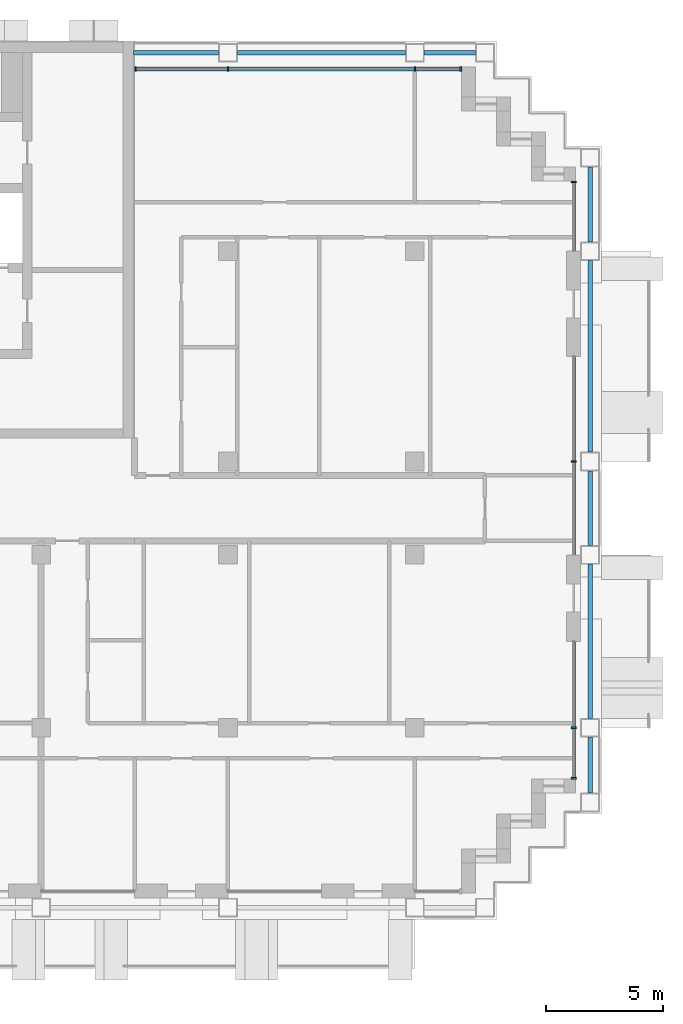
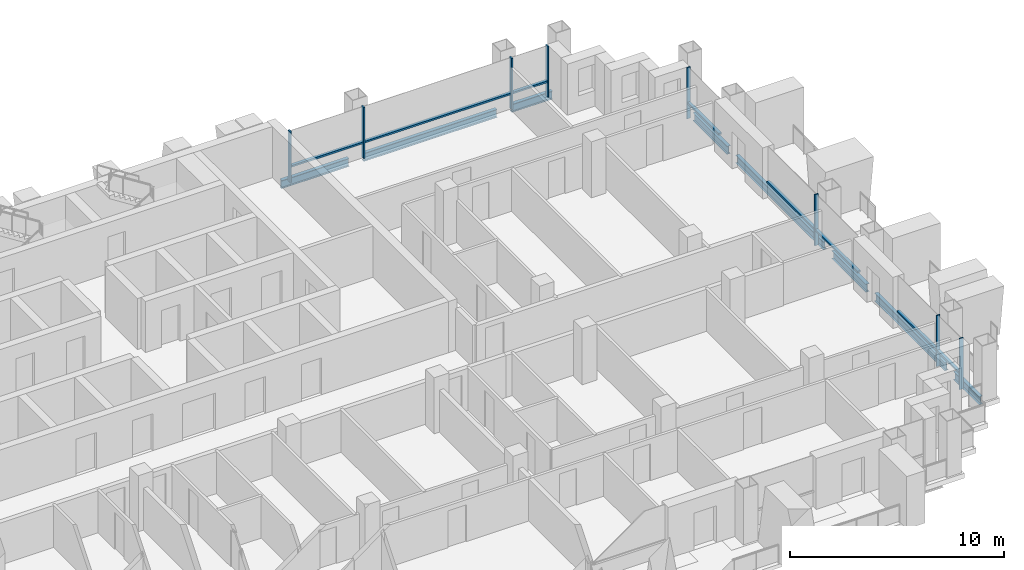
# One storey, part 5 of 16: 16 members, 8 beams, 4 elements without a shape of their own.
"""IFC4 building model written with IfcOpenShell, lengths in metres."""

from ifc_helpers import new_model, si_unit, direction, frame, origin, origin_2d, place, context, subcontext, project, spatial, rectangle, i_section, extrude, material, material_profile, profile_set, type_object, element, aggregate, save


model = new_model("IFC4")

# Units and contexts
model_context = context("Model", 3, precision=1e-05, world=origin(), true_north=direction((0.0, 1.0)))
body_context = subcontext(model_context, "Body", "Model", "MODEL_VIEW")
ifc_project = project(units=[si_unit("LENGTHUNIT", "METRE"), si_unit("AREAUNIT", "SQUARE_METRE"), si_unit("VOLUMEUNIT", "CUBIC_METRE"), si_unit("PLANEANGLEUNIT", "RADIAN"), si_unit("MASSUNIT", "GRAM", prefix="KILO")], contexts=[model_context])

# Site, building, storey
site_placement = place(None, origin())
site = spatial("IfcSite", under=ifc_project, at=site_placement, CompositionType="ELEMENT")
building_placement = place(site_placement, origin())
building = spatial("IfcBuilding", under=site, at=building_placement, Name="Vidyagriha Tower", CompositionType="ELEMENT")
storey_placement = place(building_placement, frame((0.0, 0.0, 132.60009765625)))
storey = spatial("IfcBuildingStorey", under=building, at=storey_placement, Name="L34", CompositionType="ELEMENT", Elevation=132.60009765625)

# Beams
ifc_material_1 = material(Name="Steel ASTM A992 Grade 50", Category="steel")
ifc_material_profile_1 = material_profile(ifc_material_1, i_section(OverallWidth=0.19189453125, OverallDepth=0.46240234375, WebThickness=0.010498046875, FlangeThickness=0.017578125, at=origin_2d()), Name="W18X60")
ifc_profile_set_1 = profile_set([ifc_material_profile_1], Name="Steel ASTM A992 Grade 50")
beam_type = type_object("IfcBeamType", Name="Edge beam W18X60", PredefinedType="SPANDREL", material=ifc_profile_set_1)
beam_1_placement = place(storey_placement, frame((33.5, -12.199951171875, -0.51123046875), z_axis=(0.0, 1.0, 0.0), x_axis=(-1.0, 0.0, 0.0)))
element("IfcBeam", 1, at=beam_1_placement, inside=storey, type_object=beam_type, Name="st-beam-L34-E14", PredefinedType="SPANDREL", context=body_context, shape_type="SweptSolid", body=[
    extrude(i_section(OverallWidth=0.19189453125, OverallDepth=0.46240234375, WebThickness=0.010498046875, FlangeThickness=0.017578125, at=origin_2d()), origin(), (0.0, 0.0, 1.0), 2.39990234375),
])
beam_2_placement = place(storey_placement, frame((33.5, -9.0, -0.51123046875), z_axis=(0.0, 1.0, 0.0), x_axis=(-1.0, 0.0, 0.0)))
element("IfcBeam", 2, at=beam_2_placement, inside=storey, type_object=beam_type, Name="st-beam-L34-E15", PredefinedType="SPANDREL", context=body_context, shape_type="SweptSolid", body=[
    extrude(i_section(OverallWidth=0.19189453125, OverallDepth=0.46240234375, WebThickness=0.010498046875, FlangeThickness=0.017578125, at=origin_2d()), origin(), (0.0, 0.0, 1.0), 6.60009765625),
])
beam_3_placement = place(storey_placement, frame((33.5, -1.60009765625, -0.51123046875), z_axis=(0.0, 1.0, 0.0), x_axis=(-1.0, 0.0, 0.0)))
element("IfcBeam", 3, at=beam_3_placement, inside=storey, type_object=beam_type, Name="st-beam-L34-E16", PredefinedType="SPANDREL", context=body_context, shape_type="SweptSolid", body=[
    extrude(i_section(OverallWidth=0.19189453125, OverallDepth=0.46240234375, WebThickness=0.010498046875, FlangeThickness=0.017578125, at=origin_2d()), origin(), (0.0, 0.0, 1.0), 3.2001953125),
])
beam_4_placement = place(storey_placement, frame((33.5, 2.39990234375, -0.51123046875), z_axis=(0.0, 1.0, 0.0), x_axis=(-1.0, 0.0, 0.0)))
element("IfcBeam", 4, at=beam_4_placement, inside=storey, type_object=beam_type, Name="st-beam-L34-E17", PredefinedType="SPANDREL", context=body_context, shape_type="SweptSolid", body=[
    extrude(i_section(OverallWidth=0.19189453125, OverallDepth=0.46240234375, WebThickness=0.010498046875, FlangeThickness=0.017578125, at=origin_2d()), origin(), (0.0, 0.0, 1.0), 8.2001953125),
])
beam_5_placement = place(storey_placement, frame((33.5, 11.39990234375, -0.51123046875), z_axis=(0.0, 1.0, 0.0), x_axis=(-1.0, 0.0, 0.0)))
element("IfcBeam", 5, at=beam_5_placement, inside=storey, type_object=beam_type, Name="st-beam-L34-E18", PredefinedType="SPANDREL", context=body_context, shape_type="SweptSolid", body=[
    extrude(i_section(OverallWidth=0.19189453125, OverallDepth=0.46240234375, WebThickness=0.010498046875, FlangeThickness=0.017578125, at=origin_2d()), origin(), (0.0, 0.0, 1.0), 3.2001953125),
])
beam_6_placement = place(storey_placement, frame((18.39990234375, 19.5, -0.51123046875), z_axis=(1.0, 0.0, 0.0), x_axis=(0.0, 1.0, 0.0)))
element("IfcBeam", 6, at=beam_6_placement, inside=storey, type_object=beam_type, Name="st-beam-L34-NE20", PredefinedType="SPANDREL", context=body_context, shape_type="SweptSolid", body=[
    extrude(i_section(OverallWidth=0.19189453125, OverallDepth=0.46240234375, WebThickness=0.010498046875, FlangeThickness=0.017578125, at=origin_2d()), origin(), (0.0, 0.0, 1.0), 7.2001953125),
])
beam_7_placement = place(storey_placement, frame((26.39990234375, 19.5, -0.51123046875), z_axis=(1.0, 0.0, 0.0), x_axis=(0.0, 1.0, 0.0)))
element("IfcBeam", 7, at=beam_7_placement, inside=storey, type_object=beam_type, Name="st-beam-L34-NE21", PredefinedType="SPANDREL", context=body_context, shape_type="SweptSolid", body=[
    extrude(i_section(OverallWidth=0.19189453125, OverallDepth=0.46240234375, WebThickness=0.010498046875, FlangeThickness=0.017578125, at=origin_2d()), origin(), (0.0, 0.0, 1.0), 2.2001953125),
])
beam_8_placement = place(storey_placement, frame((13.949951171875, 19.5, -0.51123046875), z_axis=(1.0, 0.0, 0.0), x_axis=(0.0, 1.0, 0.0)))
element("IfcBeam", 8, at=beam_8_placement, inside=storey, type_object=beam_type, Name="st-beam-L34-NC23", PredefinedType="SPANDREL", context=body_context, shape_type="SweptSolid", body=[
    extrude(i_section(OverallWidth=0.19189453125, OverallDepth=0.46240234375, WebThickness=0.010498046875, FlangeThickness=0.017578125, at=origin_2d()), origin(), (0.0, 0.0, 1.0), 3.650146484375),
])

# Curtain wall, members
ifc_material_2 = material(Name="Aluminium and glass curtain wall", Category="aluminium")
curtain_wall_type = type_object("IfcCurtainWallType", Name="Dwelling skin unitised curtain wall", PredefinedType="USERDEFINED", material=ifc_material_2)
curtain_wall_1_placement = place(storey_placement, origin())
curtain_wall_1 = element("IfcCurtainWall", 9, at=curtain_wall_1_placement, inside=storey, type_object=curtain_wall_type, Name="CW1 dwelling skin", ObjectType="UNITISED", PredefinedType="USERDEFINED")
ifc_material_3 = material(Name="Aluminium black anodised", Category="aluminium")
ifc_material_profile_2 = material_profile(ifc_material_3, rectangle(XDim=0.199951171875, YDim=0.070068359375, at=origin_2d()), Name="Mullion 70x200 black aluminium")
ifc_profile_set_2 = profile_set([ifc_material_profile_2], Name="Aluminium black anodised")
member_type_1 = type_object("IfcMemberType", Name="Mullion 70x200 black aluminium", PredefinedType="MULLION", material=ifc_profile_set_2)
member_1_placement = place(storey_placement, frame((27.965087890625, 18.800048828125, 0.0), z_axis=(0.0, 0.0, 1.0), x_axis=(0.0, -1.0, 0.0)))
member_1 = element("IfcMember", 10, at=member_1_placement, type_object=member_type_1, Name="CW1 mullion 1", PredefinedType="MULLION", context=body_context, shape_type="SweptSolid", body=[
    extrude(rectangle(XDim=0.199951171875, YDim=0.070068359375, at=origin_2d()), origin(), (0.0, 0.0, 1.0), 2.919921875),
])
member_2_placement = place(storey_placement, frame((26.0, 18.800048828125, 0.0), z_axis=(0.0, 0.0, 1.0), x_axis=(0.0, -1.0, 0.0)))
member_2 = element("IfcMember", 11, at=member_2_placement, type_object=member_type_1, Name="CW1 mullion 2", PredefinedType="MULLION", context=body_context, shape_type="SweptSolid", body=[
    extrude(rectangle(XDim=0.199951171875, YDim=0.070068359375, at=origin_2d()), origin(), (0.0, 0.0, 1.0), 2.919921875),
])
member_3_placement = place(storey_placement, frame((18.0, 18.800048828125, 0.0), z_axis=(0.0, 0.0, 1.0), x_axis=(0.0, -1.0, 0.0)))
member_3 = element("IfcMember", 12, at=member_3_placement, type_object=member_type_1, Name="CW1 mullion 3", PredefinedType="MULLION", context=body_context, shape_type="SweptSolid", body=[
    extrude(rectangle(XDim=0.199951171875, YDim=0.070068359375, at=origin_2d()), origin(), (0.0, 0.0, 1.0), 2.919921875),
])
member_4_placement = place(storey_placement, frame((14.034912109375, 18.800048828125, 0.0), z_axis=(0.0, 0.0, 1.0), x_axis=(0.0, -1.0, 0.0)))
member_4 = element("IfcMember", 13, at=member_4_placement, type_object=member_type_1, Name="CW1 mullion 4", PredefinedType="MULLION", context=body_context, shape_type="SweptSolid", body=[
    extrude(rectangle(XDim=0.199951171875, YDim=0.070068359375, at=origin_2d()), origin(), (0.0, 0.0, 1.0), 2.919921875),
])

curtain_wall_2_placement = place(storey_placement, origin())
curtain_wall_2 = element("IfcCurtainWall", 14, at=curtain_wall_2_placement, inside=storey, type_object=curtain_wall_type, Name="CW1 dwelling skin", ObjectType="UNITISED", PredefinedType="USERDEFINED")
member_5_placement = place(storey_placement, frame((32.800048828125, -11.56494140625, 0.0), z_axis=(0.0, 0.0, 1.0), x_axis=(-1.0, 0.0, 0.0)))
member_5 = element("IfcMember", 15, at=member_5_placement, type_object=member_type_1, Name="CW1 mullion 1", PredefinedType="MULLION", context=body_context, shape_type="SweptSolid", body=[
    extrude(rectangle(XDim=0.199951171875, YDim=0.070068359375, at=origin_2d()), origin(), (0.0, 0.0, 1.0), 2.919921875),
])
member_6_placement = place(storey_placement, frame((32.800048828125, -9.39990234375, 0.0), z_axis=(0.0, 0.0, 1.0), x_axis=(-1.0, 0.0, 0.0)))
member_6 = element("IfcMember", 16, at=member_6_placement, type_object=member_type_1, Name="CW1 mullion 2", PredefinedType="MULLION", context=body_context, shape_type="SweptSolid", body=[
    extrude(rectangle(XDim=0.199951171875, YDim=0.070068359375, at=origin_2d()), origin(), (0.0, 0.0, 1.0), 2.919921875),
])

# Curtain wall, member
curtain_wall_3_placement = place(storey_placement, origin())
curtain_wall_3 = element("IfcCurtainWall", 17, at=curtain_wall_3_placement, inside=storey, type_object=curtain_wall_type, Name="CW1 dwelling skin", ObjectType="UNITISED", PredefinedType="USERDEFINED")
member_7_placement = place(storey_placement, frame((32.800048828125, 2.0, 0.0), z_axis=(0.0, 0.0, 1.0), x_axis=(-1.0, 0.0, 0.0)))
member_7 = element("IfcMember", 18, at=member_7_placement, type_object=member_type_1, Name="CW1 mullion 2", PredefinedType="MULLION", context=body_context, shape_type="SweptSolid", body=[
    extrude(rectangle(XDim=0.199951171875, YDim=0.070068359375, at=origin_2d()), origin(), (0.0, 0.0, 1.0), 2.919921875),
])

curtain_wall_4_placement = place(storey_placement, origin())
curtain_wall_4 = element("IfcCurtainWall", 19, at=curtain_wall_4_placement, inside=storey, type_object=curtain_wall_type, Name="CW1 dwelling skin", ObjectType="UNITISED", PredefinedType="USERDEFINED")
member_8_placement = place(storey_placement, frame((32.800048828125, 13.965087890625, 0.0), z_axis=(0.0, 0.0, 1.0), x_axis=(-1.0, 0.0, 0.0)))
member_8 = element("IfcMember", 20, at=member_8_placement, type_object=member_type_1, Name="CW1 mullion 2", PredefinedType="MULLION", context=body_context, shape_type="SweptSolid", body=[
    extrude(rectangle(XDim=0.199951171875, YDim=0.070068359375, at=origin_2d()), origin(), (0.0, 0.0, 1.0), 2.919921875),
])

# Member
ifc_material_4 = material(Name="Aluminium black anodised", Category="aluminium")
ifc_material_profile_3 = material_profile(ifc_material_4, rectangle(XDim=0.159912109375, YDim=0.10009765625, at=origin_2d()), Name="Transom 100x160 black aluminium")
ifc_profile_set_3 = profile_set([ifc_material_profile_3], Name="Aluminium black anodised")
member_type_2 = type_object("IfcMemberType", Name="Transom 100x160 black aluminium", PredefinedType="USERDEFINED", material=ifc_profile_set_3)
member_9_placement = place(storey_placement, frame((27.929931640625, 18.800048828125, 0.89990234375), z_axis=(-1.0, 0.0, 0.0), x_axis=(0.0, -1.0, 0.0)))
member_9 = element("IfcMember", 21, at=member_9_placement, type_object=member_type_2, Name="CW1 transom 1.1", ObjectType="TRANSOM", PredefinedType="USERDEFINED", context=body_context, shape_type="SweptSolid", body=[
    extrude(rectangle(XDim=0.159912109375, YDim=0.10009765625, at=origin_2d()), origin(), (0.0, 0.0, 1.0), 1.89501953125),
])

member_10_placement = place(storey_placement, frame((25.965087890625, 18.800048828125, 0.89990234375), z_axis=(-1.0, 0.0, 0.0), x_axis=(0.0, -1.0, 0.0)))
member_10 = element("IfcMember", 22, at=member_10_placement, type_object=member_type_2, Name="CW1 transom 2.1", ObjectType="TRANSOM", PredefinedType="USERDEFINED", context=body_context, shape_type="SweptSolid", body=[
    extrude(rectangle(XDim=0.159912109375, YDim=0.10009765625, at=origin_2d()), origin(), (0.0, 0.0, 1.0), 7.93017578125),
])

member_11_placement = place(storey_placement, frame((17.965087890625, 18.800048828125, 0.89990234375), z_axis=(-1.0, 0.0, 0.0), x_axis=(0.0, -1.0, 0.0)))
member_11 = element("IfcMember", 23, at=member_11_placement, type_object=member_type_2, Name="CW1 transom 3.1", ObjectType="TRANSOM", PredefinedType="USERDEFINED", context=body_context, shape_type="SweptSolid", body=[
    extrude(rectangle(XDim=0.159912109375, YDim=0.10009765625, at=origin_2d()), origin(), (0.0, 0.0, 1.0), 3.89501953125),
])

aggregate(curtain_wall_1, [member_1, member_2, member_3, member_4, member_9, member_10, member_11])

member_12_placement = place(storey_placement, frame((32.800048828125, -11.530029296875, 0.89990234375), z_axis=(0.0, 1.0, 0.0), x_axis=(-1.0, 0.0, 0.0)))
member_12 = element("IfcMember", 24, at=member_12_placement, type_object=member_type_2, Name="CW1 transom 1.1", ObjectType="TRANSOM", PredefinedType="USERDEFINED", context=body_context, shape_type="SweptSolid", body=[
    extrude(rectangle(XDim=0.159912109375, YDim=0.10009765625, at=origin_2d()), origin(), (0.0, 0.0, 1.0), 2.094970703125),
])

member_13_placement = place(storey_placement, frame((32.800048828125, -9.364990234375, 0.89990234375), z_axis=(0.0, 1.0, 0.0), x_axis=(-1.0, 0.0, 0.0)))
member_13 = element("IfcMember", 25, at=member_13_placement, type_object=member_type_2, Name="CW1 transom 2.1", ObjectType="TRANSOM", PredefinedType="USERDEFINED", context=body_context, shape_type="SweptSolid", body=[
    extrude(rectangle(XDim=0.159912109375, YDim=0.10009765625, at=origin_2d()), origin(), (0.0, 0.0, 1.0), 3.6650390625),
])

aggregate(curtain_wall_2, [member_5, member_6, member_12, member_13])

member_14_placement = place(storey_placement, frame((32.800048828125, -2.0, 0.89990234375), z_axis=(0.0, 1.0, 0.0), x_axis=(-1.0, 0.0, 0.0)))
member_14 = element("IfcMember", 26, at=member_14_placement, type_object=member_type_2, Name="CW1 transom 1.1", ObjectType="TRANSOM", PredefinedType="USERDEFINED", context=body_context, shape_type="SweptSolid", body=[
    extrude(rectangle(XDim=0.159912109375, YDim=0.10009765625, at=origin_2d()), origin(), (0.0, 0.0, 1.0), 3.965087890625),
])

member_15_placement = place(storey_placement, frame((32.800048828125, 2.034912109375, 0.89990234375), z_axis=(0.0, 1.0, 0.0), x_axis=(-1.0, 0.0, 0.0)))
member_15 = element("IfcMember", 27, at=member_15_placement, type_object=member_type_2, Name="CW1 transom 2.1", ObjectType="TRANSOM", PredefinedType="USERDEFINED", context=body_context, shape_type="SweptSolid", body=[
    extrude(rectangle(XDim=0.159912109375, YDim=0.10009765625, at=origin_2d()), origin(), (0.0, 0.0, 1.0), 4.465087890625),
])

aggregate(curtain_wall_3, [member_7, member_14, member_15])

member_16_placement = place(storey_placement, frame((32.800048828125, 11.0, 0.89990234375), z_axis=(0.0, 1.0, 0.0), x_axis=(-1.0, 0.0, 0.0)))
member_16 = element("IfcMember", 28, at=member_16_placement, type_object=member_type_2, Name="CW1 transom 1.1", ObjectType="TRANSOM", PredefinedType="USERDEFINED", context=body_context, shape_type="SweptSolid", body=[
    extrude(rectangle(XDim=0.159912109375, YDim=0.10009765625, at=origin_2d()), origin(), (0.0, 0.0, 1.0), 2.929931640625),
])

aggregate(curtain_wall_4, [member_8, member_16])

save(model, "model.ifc")
